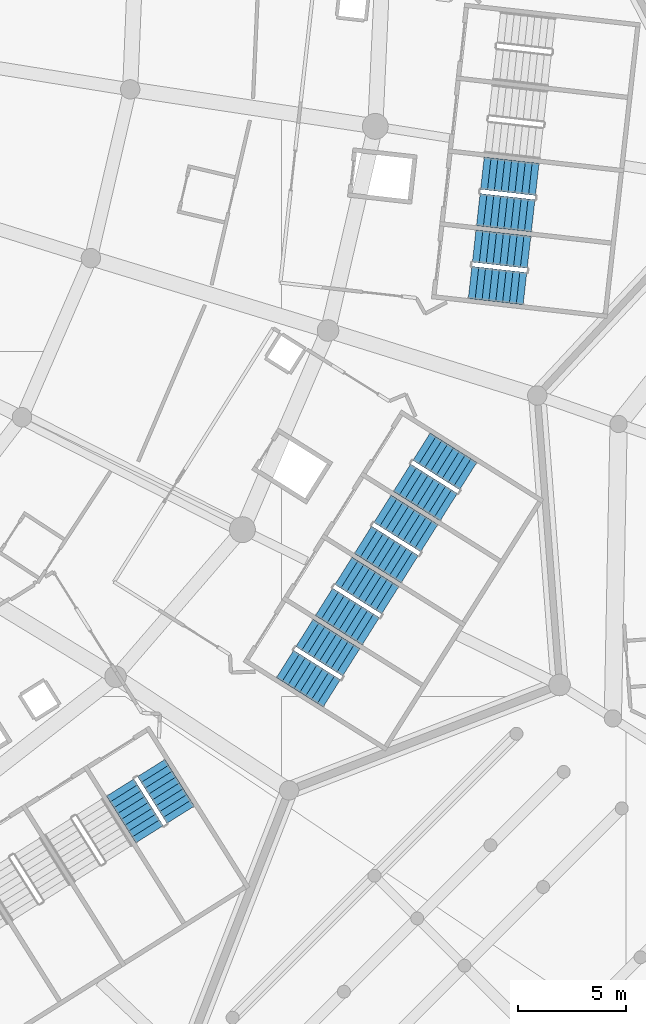
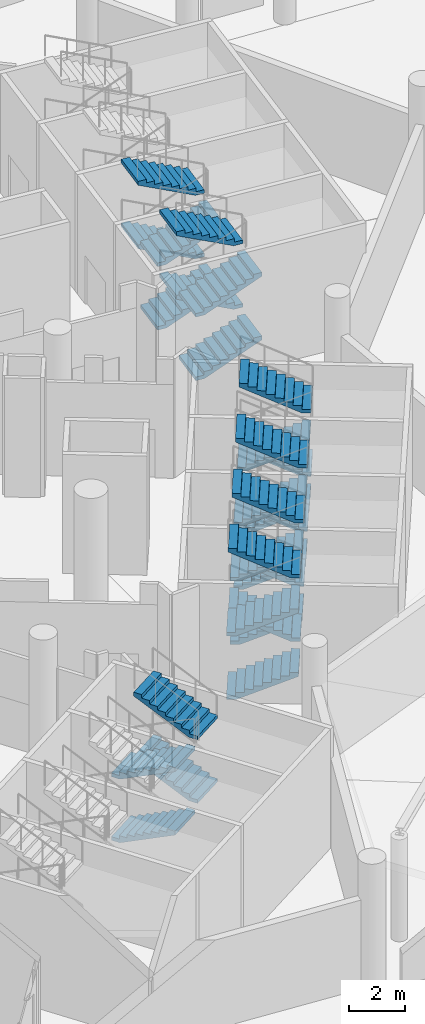
# One storey, part 211 of 271: 28 stair flights, 7 elements without a shape of their own.
"""IFC4 building model written with IfcOpenShell, lengths in metres."""

from ifc_helpers import new_model, si_unit, direction, frame, origin, place, context, subcontext, project, spatial, polyline, outline, extrude, material, type_object, element, aggregate, save


model = new_model("IFC4")

# Units and contexts
model_context = context("Model", 3, precision=1e-05, world=origin(), true_north=direction((0.0, 1.0)))
body_context = subcontext(model_context, "Body", "Model", "MODEL_VIEW")
ifc_project = project(units=[si_unit("LENGTHUNIT", "METRE"), si_unit("AREAUNIT", "SQUARE_METRE"), si_unit("VOLUMEUNIT", "CUBIC_METRE"), si_unit("PLANEANGLEUNIT", "RADIAN"), si_unit("MASSUNIT", "GRAM", prefix="KILO")], contexts=[model_context])

# Site, building, storey
site_placement = place(None, origin())
site = spatial("IfcSite", under=ifc_project, at=site_placement, CompositionType="ELEMENT")
building_placement = place(site_placement, origin())
building = spatial("IfcBuilding", under=site, at=building_placement, Name="Meseta Stadium", CompositionType="ELEMENT")
storey_placement = place(building_placement, frame((0.0, 0.0, 6.5)))
storey = spatial("IfcBuildingStorey", under=building, at=storey_placement, Name="L01", CompositionType="ELEMENT", Elevation=6.5)

# Stair, stair flights
ifc_material_1 = material(Name="Concrete C40/50", Category="concrete")
stair_type = type_object("IfcStairType", Name="Exit stair 4 flights 153 mm risers", PredefinedType="HALF_TURN_STAIR", material=ifc_material_1)
stair_1_placement = place(storey_placement, origin())
stair_1 = element("IfcStair", 1, at=stair_1_placement, inside=storey, type_object=stair_type, Name="ST1 L01", PredefinedType="HALF_TURN_STAIR")
ifc_material_2 = material(Name="Concrete C40/50", Category="concrete")
stair_flight_type = type_object("IfcStairFlightType", Name="Exit stair flight 153 mm risers, 4 per storey", PredefinedType="STRAIGHT", material=ifc_material_2)
stair_flight_1_placement = place(storey_placement, frame((88.759033203125, -60.805419921875, 0.0), z_axis=(0.0, 0.0, 1.0), x_axis=(0.993712210731, -0.11196446867, 0.0)))
stair_flight_1 = element("IfcStairFlight", 2, at=stair_flight_1_placement, type_object=stair_flight_type, Name="ST1 L01 flight 1", NumberOfRisers=9, NumberOfTreads=8, PredefinedType="STRAIGHT", RiserHeight=0.152777778, TreadLength=0.32, context=body_context, shape_type="SweptSolid", body=[
    extrude(outline(polyline([(0.0, 0.0), (0.0, 0.15283203125), (0.320068359375, 0.15283203125), (0.320068359375, 0.3056640625), (0.639892578125, 0.3056640625), (0.639892578125, 0.458251953125), (0.9599609375, 0.458251953125), (0.9599609375, 0.611083984375), (1.280029296875, 0.611083984375), (1.280029296875, 0.763916015625), (1.60009765625, 0.763916015625), (1.60009765625, 0.916748046875), (1.919921875, 0.916748046875), (1.919921875, 1.0693359375), (2.239990234375, 1.0693359375), (2.239990234375, 1.22216796875), (2.56005859375, 1.22216796875), (2.56005859375, 1.05615234375), (0.347900390625, 0.0), (0.0, 0.0)])), frame((0.0, 0.75, 0.0), z_axis=(0.0, -1.0, 0.0), x_axis=(1.0, 0.0, 0.0)), (0.0, 0.0, 1.0), 1.5),
])
stair_flight_2_placement = place(storey_placement, frame((91.4931640625, -59.40283203125, 1.375), z_axis=(0.0, 0.0, 1.0), x_axis=(-0.993712210731, 0.11196446867, 0.0)))
stair_flight_2 = element("IfcStairFlight", 3, at=stair_flight_2_placement, type_object=stair_flight_type, Name="ST1 L01 flight 2", NumberOfRisers=9, NumberOfTreads=8, PredefinedType="STRAIGHT", RiserHeight=0.152777778, TreadLength=0.32, context=body_context, shape_type="SweptSolid", body=[
    extrude(outline(polyline([(0.0, 0.0), (0.0, 0.15283203125), (0.320068359375, 0.15283203125), (0.320068359375, 0.3056640625), (0.639892578125, 0.3056640625), (0.639892578125, 0.458251953125), (0.9599609375, 0.458251953125), (0.9599609375, 0.611083984375), (1.280029296875, 0.611083984375), (1.280029296875, 0.763916015625), (1.60009765625, 0.763916015625), (1.60009765625, 0.916748046875), (1.919921875, 0.916748046875), (1.919921875, 1.0693359375), (2.239990234375, 1.0693359375), (2.239990234375, 1.22216796875), (2.56005859375, 1.22216796875), (2.56005859375, 1.05615234375), (0.347900390625, 0.0), (0.0, 0.0)])), frame((0.0, 0.75, 0.0), z_axis=(0.0, -1.0, 0.0), x_axis=(1.0, 0.0, 0.0)), (0.0, 0.0, 1.0), 1.5),
])
stair_flight_3_placement = place(storey_placement, frame((88.759033203125, -60.805419921875, 2.75), z_axis=(0.0, 0.0, 1.0), x_axis=(0.993712210731, -0.11196446867, 0.0)))
stair_flight_3 = element("IfcStairFlight", 4, at=stair_flight_3_placement, type_object=stair_flight_type, Name="ST1 L01 flight 3", NumberOfRisers=9, NumberOfTreads=8, PredefinedType="STRAIGHT", RiserHeight=0.152777778, TreadLength=0.32, context=body_context, shape_type="SweptSolid", body=[
    extrude(outline(polyline([(0.0, 0.0), (0.0, 0.15283203125), (0.320068359375, 0.15283203125), (0.320068359375, 0.3056640625), (0.639892578125, 0.3056640625), (0.639892578125, 0.458251953125), (0.9599609375, 0.458251953125), (0.9599609375, 0.611083984375), (1.280029296875, 0.611083984375), (1.280029296875, 0.763916015625), (1.60009765625, 0.763916015625), (1.60009765625, 0.916748046875), (1.919921875, 0.916748046875), (1.919921875, 1.0693359375), (2.239990234375, 1.0693359375), (2.239990234375, 1.22216796875), (2.56005859375, 1.22216796875), (2.56005859375, 1.05615234375), (0.347900390625, 0.0), (0.0, 0.0)])), frame((0.0, 0.75, 0.0), z_axis=(0.0, -1.0, 0.0), x_axis=(1.0, 0.0, 0.0)), (0.0, 0.0, 1.0), 1.5),
])
stair_flight_4_placement = place(storey_placement, frame((91.4931640625, -59.40283203125, 4.125), z_axis=(0.0, 0.0, 1.0), x_axis=(-0.993712210731, 0.11196446867, 0.0)))
stair_flight_4 = element("IfcStairFlight", 5, at=stair_flight_4_placement, type_object=stair_flight_type, Name="ST1 L01 flight 4", NumberOfRisers=9, NumberOfTreads=8, PredefinedType="STRAIGHT", RiserHeight=0.152777778, TreadLength=0.32, context=body_context, shape_type="SweptSolid", body=[
    extrude(outline(polyline([(0.0, 0.0), (0.0, 0.15283203125), (0.320068359375, 0.15283203125), (0.320068359375, 0.3056640625), (0.639892578125, 0.3056640625), (0.639892578125, 0.458251953125), (0.9599609375, 0.458251953125), (0.9599609375, 0.611083984375), (1.280029296875, 0.611083984375), (1.280029296875, 0.763916015625), (1.60009765625, 0.763916015625), (1.60009765625, 0.916748046875), (1.919921875, 0.916748046875), (1.919921875, 1.0693359375), (2.239990234375, 1.0693359375), (2.239990234375, 1.22216796875), (2.56005859375, 1.22216796875), (2.56005859375, 1.05615234375), (0.347900390625, 0.0), (0.0, 0.0)])), frame((0.0, 0.75, 0.0), z_axis=(0.0, -1.0, 0.0), x_axis=(1.0, 0.0, 0.0)), (0.0, 0.0, 1.0), 1.5),
])
aggregate(stair_1, [stair_flight_1, stair_flight_2, stair_flight_3, stair_flight_4])

stair_2_placement = place(storey_placement, origin())
stair_2 = element("IfcStair", 6, at=stair_2_placement, inside=storey, type_object=stair_type, Name="ST2 L01", PredefinedType="HALF_TURN_STAIR")
stair_flight_5_placement = place(storey_placement, frame((89.1396484375, -57.4267578125, 0.0), z_axis=(0.0, 0.0, 1.0), x_axis=(0.993712210731, -0.11196446867, 0.0)))
stair_flight_5 = element("IfcStairFlight", 7, at=stair_flight_5_placement, type_object=stair_flight_type, Name="ST2 L01 flight 1", NumberOfRisers=9, NumberOfTreads=8, PredefinedType="STRAIGHT", RiserHeight=0.152777778, TreadLength=0.32, context=body_context, shape_type="SweptSolid", body=[
    extrude(outline(polyline([(0.0, 0.0), (0.0, 0.15283203125), (0.320068359375, 0.15283203125), (0.320068359375, 0.3056640625), (0.639892578125, 0.3056640625), (0.639892578125, 0.458251953125), (0.9599609375, 0.458251953125), (0.9599609375, 0.611083984375), (1.280029296875, 0.611083984375), (1.280029296875, 0.763916015625), (1.60009765625, 0.763916015625), (1.60009765625, 0.916748046875), (1.919921875, 0.916748046875), (1.919921875, 1.0693359375), (2.239990234375, 1.0693359375), (2.239990234375, 1.22216796875), (2.56005859375, 1.22216796875), (2.56005859375, 1.05615234375), (0.347900390625, 0.0), (0.0, 0.0)])), frame((0.0, 0.75, 0.0), z_axis=(0.0, -1.0, 0.0), x_axis=(1.0, 0.0, 0.0)), (0.0, 0.0, 1.0), 1.5),
])
stair_flight_6_placement = place(storey_placement, frame((91.8740234375, -56.024169921875, 1.375), z_axis=(0.0, 0.0, 1.0), x_axis=(-0.993712210731, 0.11196446867, 0.0)))
stair_flight_6 = element("IfcStairFlight", 8, at=stair_flight_6_placement, type_object=stair_flight_type, Name="ST2 L01 flight 2", NumberOfRisers=9, NumberOfTreads=8, PredefinedType="STRAIGHT", RiserHeight=0.152777778, TreadLength=0.32, context=body_context, shape_type="SweptSolid", body=[
    extrude(outline(polyline([(0.0, 0.0), (0.0, 0.15283203125), (0.320068359375, 0.15283203125), (0.320068359375, 0.3056640625), (0.639892578125, 0.3056640625), (0.639892578125, 0.458251953125), (0.9599609375, 0.458251953125), (0.9599609375, 0.611083984375), (1.280029296875, 0.611083984375), (1.280029296875, 0.763916015625), (1.60009765625, 0.763916015625), (1.60009765625, 0.916748046875), (1.919921875, 0.916748046875), (1.919921875, 1.0693359375), (2.239990234375, 1.0693359375), (2.239990234375, 1.22216796875), (2.56005859375, 1.22216796875), (2.56005859375, 1.05615234375), (0.347900390625, 0.0), (0.0, 0.0)])), frame((0.0, 0.75, 0.0), z_axis=(0.0, -1.0, 0.0), x_axis=(1.0, 0.0, 0.0)), (0.0, 0.0, 1.0), 1.5),
])
stair_flight_7_placement = place(storey_placement, frame((89.1396484375, -57.4267578125, 2.75), z_axis=(0.0, 0.0, 1.0), x_axis=(0.993712210731, -0.11196446867, 0.0)))
stair_flight_7 = element("IfcStairFlight", 9, at=stair_flight_7_placement, type_object=stair_flight_type, Name="ST2 L01 flight 3", NumberOfRisers=9, NumberOfTreads=8, PredefinedType="STRAIGHT", RiserHeight=0.152777778, TreadLength=0.32, context=body_context, shape_type="SweptSolid", body=[
    extrude(outline(polyline([(0.0, 0.0), (0.0, 0.15283203125), (0.320068359375, 0.15283203125), (0.320068359375, 0.3056640625), (0.639892578125, 0.3056640625), (0.639892578125, 0.458251953125), (0.9599609375, 0.458251953125), (0.9599609375, 0.611083984375), (1.280029296875, 0.611083984375), (1.280029296875, 0.763916015625), (1.60009765625, 0.763916015625), (1.60009765625, 0.916748046875), (1.919921875, 0.916748046875), (1.919921875, 1.0693359375), (2.239990234375, 1.0693359375), (2.239990234375, 1.22216796875), (2.56005859375, 1.22216796875), (2.56005859375, 1.05615234375), (0.347900390625, 0.0), (0.0, 0.0)])), frame((0.0, 0.75, 0.0), z_axis=(0.0, -1.0, 0.0), x_axis=(1.0, 0.0, 0.0)), (0.0, 0.0, 1.0), 1.5),
])
stair_flight_8_placement = place(storey_placement, frame((91.8740234375, -56.024169921875, 4.125), z_axis=(0.0, 0.0, 1.0), x_axis=(-0.993712210731, 0.11196446867, 0.0)))
stair_flight_8 = element("IfcStairFlight", 10, at=stair_flight_8_placement, type_object=stair_flight_type, Name="ST2 L01 flight 4", NumberOfRisers=9, NumberOfTreads=8, PredefinedType="STRAIGHT", RiserHeight=0.152777778, TreadLength=0.32, context=body_context, shape_type="SweptSolid", body=[
    extrude(outline(polyline([(0.0, 0.0), (0.0, 0.15283203125), (0.320068359375, 0.15283203125), (0.320068359375, 0.3056640625), (0.639892578125, 0.3056640625), (0.639892578125, 0.458251953125), (0.9599609375, 0.458251953125), (0.9599609375, 0.611083984375), (1.280029296875, 0.611083984375), (1.280029296875, 0.763916015625), (1.60009765625, 0.763916015625), (1.60009765625, 0.916748046875), (1.919921875, 0.916748046875), (1.919921875, 1.0693359375), (2.239990234375, 1.0693359375), (2.239990234375, 1.22216796875), (2.56005859375, 1.22216796875), (2.56005859375, 1.05615234375), (0.347900390625, 0.0), (0.0, 0.0)])), frame((0.0, 0.75, 0.0), z_axis=(0.0, -1.0, 0.0), x_axis=(1.0, 0.0, 0.0)), (0.0, 0.0, 1.0), 1.5),
])
aggregate(stair_2, [stair_flight_5, stair_flight_6, stair_flight_7, stair_flight_8])

stair_3_placement = place(storey_placement, origin())
stair_3 = element("IfcStair", 11, at=stair_3_placement, inside=storey, type_object=stair_type, Name="ST108 L01", PredefinedType="HALF_TURN_STAIR")
stair_flight_9_placement = place(storey_placement, frame((72.529052734375, -84.232666015625, 0.0), z_axis=(0.0, 0.0, 1.0), x_axis=(0.532032074404, -0.846724200555, 0.0)))
stair_flight_9 = element("IfcStairFlight", 12, at=stair_flight_9_placement, type_object=stair_flight_type, Name="ST108 L01 flight 1", NumberOfRisers=9, NumberOfTreads=8, PredefinedType="STRAIGHT", RiserHeight=0.152777778, TreadLength=0.32, context=body_context, shape_type="SweptSolid", body=[
    extrude(outline(polyline([(0.0, 0.0), (0.0, 0.15283203125), (0.320068359375, 0.15283203125), (0.320068359375, 0.3056640625), (0.639892578125, 0.3056640625), (0.639892578125, 0.458251953125), (0.9599609375, 0.458251953125), (0.9599609375, 0.611083984375), (1.280029296875, 0.611083984375), (1.280029296875, 0.763916015625), (1.60009765625, 0.763916015625), (1.60009765625, 0.916748046875), (1.919921875, 0.916748046875), (1.919921875, 1.0693359375), (2.239990234375, 1.0693359375), (2.239990234375, 1.22216796875), (2.56005859375, 1.22216796875), (2.56005859375, 1.05615234375), (0.347900390625, 0.0), (0.0, 0.0)])), frame((0.0, 0.75, 0.0), z_axis=(0.0, -1.0, 0.0), x_axis=(1.0, 0.0, 0.0)), (0.0, 0.0, 1.0), 1.5),
])
stair_flight_10_placement = place(storey_placement, frame((75.33056640625, -85.495849609375, 1.375), z_axis=(0.0, 0.0, 1.0), x_axis=(-0.532032074404, 0.846724200555, 0.0)))
stair_flight_10 = element("IfcStairFlight", 13, at=stair_flight_10_placement, type_object=stair_flight_type, Name="ST108 L01 flight 2", NumberOfRisers=9, NumberOfTreads=8, PredefinedType="STRAIGHT", RiserHeight=0.152777778, TreadLength=0.32, context=body_context, shape_type="SweptSolid", body=[
    extrude(outline(polyline([(0.0, 0.0), (0.0, 0.15283203125), (0.320068359375, 0.15283203125), (0.320068359375, 0.3056640625), (0.639892578125, 0.3056640625), (0.639892578125, 0.458251953125), (0.9599609375, 0.458251953125), (0.9599609375, 0.611083984375), (1.280029296875, 0.611083984375), (1.280029296875, 0.763916015625), (1.60009765625, 0.763916015625), (1.60009765625, 0.916748046875), (1.919921875, 0.916748046875), (1.919921875, 1.0693359375), (2.239990234375, 1.0693359375), (2.239990234375, 1.22216796875), (2.56005859375, 1.22216796875), (2.56005859375, 1.05615234375), (0.347900390625, 0.0), (0.0, 0.0)])), frame((0.0, 0.75, 0.0), z_axis=(0.0, -1.0, 0.0), x_axis=(1.0, 0.0, 0.0)), (0.0, 0.0, 1.0), 1.5),
])
stair_flight_11_placement = place(storey_placement, frame((72.529052734375, -84.232666015625, 2.75), z_axis=(0.0, 0.0, 1.0), x_axis=(0.532032074404, -0.846724200555, 0.0)))
stair_flight_11 = element("IfcStairFlight", 14, at=stair_flight_11_placement, type_object=stair_flight_type, Name="ST108 L01 flight 3", NumberOfRisers=9, NumberOfTreads=8, PredefinedType="STRAIGHT", RiserHeight=0.152777778, TreadLength=0.32, context=body_context, shape_type="SweptSolid", body=[
    extrude(outline(polyline([(0.0, 0.0), (0.0, 0.15283203125), (0.320068359375, 0.15283203125), (0.320068359375, 0.3056640625), (0.639892578125, 0.3056640625), (0.639892578125, 0.458251953125), (0.9599609375, 0.458251953125), (0.9599609375, 0.611083984375), (1.280029296875, 0.611083984375), (1.280029296875, 0.763916015625), (1.60009765625, 0.763916015625), (1.60009765625, 0.916748046875), (1.919921875, 0.916748046875), (1.919921875, 1.0693359375), (2.239990234375, 1.0693359375), (2.239990234375, 1.22216796875), (2.56005859375, 1.22216796875), (2.56005859375, 1.05615234375), (0.347900390625, 0.0), (0.0, 0.0)])), frame((0.0, 0.75, 0.0), z_axis=(0.0, -1.0, 0.0), x_axis=(1.0, 0.0, 0.0)), (0.0, 0.0, 1.0), 1.5),
])
stair_flight_12_placement = place(storey_placement, frame((75.33056640625, -85.495849609375, 4.125), z_axis=(0.0, 0.0, 1.0), x_axis=(-0.532032074404, 0.846724200555, 0.0)))
stair_flight_12 = element("IfcStairFlight", 15, at=stair_flight_12_placement, type_object=stair_flight_type, Name="ST108 L01 flight 4", NumberOfRisers=9, NumberOfTreads=8, PredefinedType="STRAIGHT", RiserHeight=0.152777778, TreadLength=0.32, context=body_context, shape_type="SweptSolid", body=[
    extrude(outline(polyline([(0.0, 0.0), (0.0, 0.15283203125), (0.320068359375, 0.15283203125), (0.320068359375, 0.3056640625), (0.639892578125, 0.3056640625), (0.639892578125, 0.458251953125), (0.9599609375, 0.458251953125), (0.9599609375, 0.611083984375), (1.280029296875, 0.611083984375), (1.280029296875, 0.763916015625), (1.60009765625, 0.763916015625), (1.60009765625, 0.916748046875), (1.919921875, 0.916748046875), (1.919921875, 1.0693359375), (2.239990234375, 1.0693359375), (2.239990234375, 1.22216796875), (2.56005859375, 1.22216796875), (2.56005859375, 1.05615234375), (0.347900390625, 0.0), (0.0, 0.0)])), frame((0.0, 0.75, 0.0), z_axis=(0.0, -1.0, 0.0), x_axis=(1.0, 0.0, 0.0)), (0.0, 0.0, 1.0), 1.5),
])
aggregate(stair_3, [stair_flight_9, stair_flight_10, stair_flight_11, stair_flight_12])

stair_4_placement = place(storey_placement, origin())
stair_4 = element("IfcStair", 16, at=stair_4_placement, inside=storey, type_object=stair_type, Name="ST109 L01", PredefinedType="HALF_TURN_STAIR")
stair_flight_13_placement = place(storey_placement, frame((80.175048828125, -78.500732421875, 0.0), z_axis=(0.0, 0.0, 1.0), x_axis=(0.846724200555, -0.532032074404, 0.0)))
stair_flight_13 = element("IfcStairFlight", 17, at=stair_flight_13_placement, type_object=stair_flight_type, Name="ST109 L01 flight 1", NumberOfRisers=9, NumberOfTreads=8, PredefinedType="STRAIGHT", RiserHeight=0.152777778, TreadLength=0.32, context=body_context, shape_type="SweptSolid", body=[
    extrude(outline(polyline([(0.0, 0.0), (0.0, 0.15283203125), (0.320068359375, 0.15283203125), (0.320068359375, 0.3056640625), (0.639892578125, 0.3056640625), (0.639892578125, 0.458251953125), (0.9599609375, 0.458251953125), (0.9599609375, 0.611083984375), (1.280029296875, 0.611083984375), (1.280029296875, 0.763916015625), (1.60009765625, 0.763916015625), (1.60009765625, 0.916748046875), (1.919921875, 0.916748046875), (1.919921875, 1.0693359375), (2.239990234375, 1.0693359375), (2.239990234375, 1.22216796875), (2.56005859375, 1.22216796875), (2.56005859375, 1.05615234375), (0.347900390625, 0.0), (0.0, 0.0)])), frame((0.0, 0.75, 0.0), z_axis=(0.0, -1.0, 0.0), x_axis=(1.0, 0.0, 0.0)), (0.0, 0.0, 1.0), 1.5),
])
stair_flight_14_placement = place(storey_placement, frame((83.2470703125, -78.423095703125, 1.375), z_axis=(0.0, 0.0, 1.0), x_axis=(-0.846724200555, 0.532032074404, 0.0)))
stair_flight_14 = element("IfcStairFlight", 18, at=stair_flight_14_placement, type_object=stair_flight_type, Name="ST109 L01 flight 2", NumberOfRisers=9, NumberOfTreads=8, PredefinedType="STRAIGHT", RiserHeight=0.152777778, TreadLength=0.32, context=body_context, shape_type="SweptSolid", body=[
    extrude(outline(polyline([(0.0, 0.0), (0.0, 0.15283203125), (0.320068359375, 0.15283203125), (0.320068359375, 0.3056640625), (0.639892578125, 0.3056640625), (0.639892578125, 0.458251953125), (0.9599609375, 0.458251953125), (0.9599609375, 0.611083984375), (1.280029296875, 0.611083984375), (1.280029296875, 0.763916015625), (1.60009765625, 0.763916015625), (1.60009765625, 0.916748046875), (1.919921875, 0.916748046875), (1.919921875, 1.0693359375), (2.239990234375, 1.0693359375), (2.239990234375, 1.22216796875), (2.56005859375, 1.22216796875), (2.56005859375, 1.05615234375), (0.347900390625, 0.0), (0.0, 0.0)])), frame((0.0, 0.75, 0.0), z_axis=(0.0, -1.0, 0.0), x_axis=(1.0, 0.0, 0.0)), (0.0, 0.0, 1.0), 1.5),
])
stair_flight_15_placement = place(storey_placement, frame((80.175048828125, -78.500732421875, 2.75), z_axis=(0.0, 0.0, 1.0), x_axis=(0.846724200555, -0.532032074404, 0.0)))
stair_flight_15 = element("IfcStairFlight", 19, at=stair_flight_15_placement, type_object=stair_flight_type, Name="ST109 L01 flight 3", NumberOfRisers=9, NumberOfTreads=8, PredefinedType="STRAIGHT", RiserHeight=0.152777778, TreadLength=0.32, context=body_context, shape_type="SweptSolid", body=[
    extrude(outline(polyline([(0.0, 0.0), (0.0, 0.15283203125), (0.320068359375, 0.15283203125), (0.320068359375, 0.3056640625), (0.639892578125, 0.3056640625), (0.639892578125, 0.458251953125), (0.9599609375, 0.458251953125), (0.9599609375, 0.611083984375), (1.280029296875, 0.611083984375), (1.280029296875, 0.763916015625), (1.60009765625, 0.763916015625), (1.60009765625, 0.916748046875), (1.919921875, 0.916748046875), (1.919921875, 1.0693359375), (2.239990234375, 1.0693359375), (2.239990234375, 1.22216796875), (2.56005859375, 1.22216796875), (2.56005859375, 1.05615234375), (0.347900390625, 0.0), (0.0, 0.0)])), frame((0.0, 0.75, 0.0), z_axis=(0.0, -1.0, 0.0), x_axis=(1.0, 0.0, 0.0)), (0.0, 0.0, 1.0), 1.5),
])
stair_flight_16_placement = place(storey_placement, frame((83.2470703125, -78.423095703125, 4.125), z_axis=(0.0, 0.0, 1.0), x_axis=(-0.846724200555, 0.532032074404, 0.0)))
stair_flight_16 = element("IfcStairFlight", 20, at=stair_flight_16_placement, type_object=stair_flight_type, Name="ST109 L01 flight 4", NumberOfRisers=9, NumberOfTreads=8, PredefinedType="STRAIGHT", RiserHeight=0.152777778, TreadLength=0.32, context=body_context, shape_type="SweptSolid", body=[
    extrude(outline(polyline([(0.0, 0.0), (0.0, 0.15283203125), (0.320068359375, 0.15283203125), (0.320068359375, 0.3056640625), (0.639892578125, 0.3056640625), (0.639892578125, 0.458251953125), (0.9599609375, 0.458251953125), (0.9599609375, 0.611083984375), (1.280029296875, 0.611083984375), (1.280029296875, 0.763916015625), (1.60009765625, 0.763916015625), (1.60009765625, 0.916748046875), (1.919921875, 0.916748046875), (1.919921875, 1.0693359375), (2.239990234375, 1.0693359375), (2.239990234375, 1.22216796875), (2.56005859375, 1.22216796875), (2.56005859375, 1.05615234375), (0.347900390625, 0.0), (0.0, 0.0)])), frame((0.0, 0.75, 0.0), z_axis=(0.0, -1.0, 0.0), x_axis=(1.0, 0.0, 0.0)), (0.0, 0.0, 1.0), 1.5),
])
aggregate(stair_4, [stair_flight_13, stair_flight_14, stair_flight_15, stair_flight_16])

stair_5_placement = place(storey_placement, origin())
stair_5 = element("IfcStair", 21, at=stair_5_placement, inside=storey, type_object=stair_type, Name="ST110 L01", PredefinedType="HALF_TURN_STAIR")
stair_flight_17_placement = place(storey_placement, frame((81.98388671875, -75.621826171875, 0.0), z_axis=(0.0, 0.0, 1.0), x_axis=(0.846724200555, -0.532032074404, 0.0)))
stair_flight_17 = element("IfcStairFlight", 22, at=stair_flight_17_placement, type_object=stair_flight_type, Name="ST110 L01 flight 1", NumberOfRisers=9, NumberOfTreads=8, PredefinedType="STRAIGHT", RiserHeight=0.152777778, TreadLength=0.32, context=body_context, shape_type="SweptSolid", body=[
    extrude(outline(polyline([(0.0, 0.0), (0.0, 0.15283203125), (0.320068359375, 0.15283203125), (0.320068359375, 0.3056640625), (0.639892578125, 0.3056640625), (0.639892578125, 0.458251953125), (0.9599609375, 0.458251953125), (0.9599609375, 0.611083984375), (1.280029296875, 0.611083984375), (1.280029296875, 0.763916015625), (1.60009765625, 0.763916015625), (1.60009765625, 0.916748046875), (1.919921875, 0.916748046875), (1.919921875, 1.0693359375), (2.239990234375, 1.0693359375), (2.239990234375, 1.22216796875), (2.56005859375, 1.22216796875), (2.56005859375, 1.05615234375), (0.347900390625, 0.0), (0.0, 0.0)])), frame((0.0, 0.75, 0.0), z_axis=(0.0, -1.0, 0.0), x_axis=(1.0, 0.0, 0.0)), (0.0, 0.0, 1.0), 1.5),
])
stair_flight_18_placement = place(storey_placement, frame((85.055908203125, -75.54443359375, 1.375), z_axis=(0.0, 0.0, 1.0), x_axis=(-0.846724200555, 0.532032074404, 0.0)))
stair_flight_18 = element("IfcStairFlight", 23, at=stair_flight_18_placement, type_object=stair_flight_type, Name="ST110 L01 flight 2", NumberOfRisers=9, NumberOfTreads=8, PredefinedType="STRAIGHT", RiserHeight=0.152777778, TreadLength=0.32, context=body_context, shape_type="SweptSolid", body=[
    extrude(outline(polyline([(0.0, 0.0), (0.0, 0.15283203125), (0.320068359375, 0.15283203125), (0.320068359375, 0.3056640625), (0.639892578125, 0.3056640625), (0.639892578125, 0.458251953125), (0.9599609375, 0.458251953125), (0.9599609375, 0.611083984375), (1.280029296875, 0.611083984375), (1.280029296875, 0.763916015625), (1.60009765625, 0.763916015625), (1.60009765625, 0.916748046875), (1.919921875, 0.916748046875), (1.919921875, 1.0693359375), (2.239990234375, 1.0693359375), (2.239990234375, 1.22216796875), (2.56005859375, 1.22216796875), (2.56005859375, 1.05615234375), (0.347900390625, 0.0), (0.0, 0.0)])), frame((0.0, 0.75, 0.0), z_axis=(0.0, -1.0, 0.0), x_axis=(1.0, 0.0, 0.0)), (0.0, 0.0, 1.0), 1.5),
])
stair_flight_19_placement = place(storey_placement, frame((81.98388671875, -75.621826171875, 2.75), z_axis=(0.0, 0.0, 1.0), x_axis=(0.846724200555, -0.532032074404, 0.0)))
stair_flight_19 = element("IfcStairFlight", 24, at=stair_flight_19_placement, type_object=stair_flight_type, Name="ST110 L01 flight 3", NumberOfRisers=9, NumberOfTreads=8, PredefinedType="STRAIGHT", RiserHeight=0.152777778, TreadLength=0.32, context=body_context, shape_type="SweptSolid", body=[
    extrude(outline(polyline([(0.0, 0.0), (0.0, 0.15283203125), (0.320068359375, 0.15283203125), (0.320068359375, 0.3056640625), (0.639892578125, 0.3056640625), (0.639892578125, 0.458251953125), (0.9599609375, 0.458251953125), (0.9599609375, 0.611083984375), (1.280029296875, 0.611083984375), (1.280029296875, 0.763916015625), (1.60009765625, 0.763916015625), (1.60009765625, 0.916748046875), (1.919921875, 0.916748046875), (1.919921875, 1.0693359375), (2.239990234375, 1.0693359375), (2.239990234375, 1.22216796875), (2.56005859375, 1.22216796875), (2.56005859375, 1.05615234375), (0.347900390625, 0.0), (0.0, 0.0)])), frame((0.0, 0.75, 0.0), z_axis=(0.0, -1.0, 0.0), x_axis=(1.0, 0.0, 0.0)), (0.0, 0.0, 1.0), 1.5),
])
stair_flight_20_placement = place(storey_placement, frame((85.055908203125, -75.54443359375, 4.125), z_axis=(0.0, 0.0, 1.0), x_axis=(-0.846724200555, 0.532032074404, 0.0)))
stair_flight_20 = element("IfcStairFlight", 25, at=stair_flight_20_placement, type_object=stair_flight_type, Name="ST110 L01 flight 4", NumberOfRisers=9, NumberOfTreads=8, PredefinedType="STRAIGHT", RiserHeight=0.152777778, TreadLength=0.32, context=body_context, shape_type="SweptSolid", body=[
    extrude(outline(polyline([(0.0, 0.0), (0.0, 0.15283203125), (0.320068359375, 0.15283203125), (0.320068359375, 0.3056640625), (0.639892578125, 0.3056640625), (0.639892578125, 0.458251953125), (0.9599609375, 0.458251953125), (0.9599609375, 0.611083984375), (1.280029296875, 0.611083984375), (1.280029296875, 0.763916015625), (1.60009765625, 0.763916015625), (1.60009765625, 0.916748046875), (1.919921875, 0.916748046875), (1.919921875, 1.0693359375), (2.239990234375, 1.0693359375), (2.239990234375, 1.22216796875), (2.56005859375, 1.22216796875), (2.56005859375, 1.05615234375), (0.347900390625, 0.0), (0.0, 0.0)])), frame((0.0, 0.75, 0.0), z_axis=(0.0, -1.0, 0.0), x_axis=(1.0, 0.0, 0.0)), (0.0, 0.0, 1.0), 1.5),
])
aggregate(stair_5, [stair_flight_17, stair_flight_18, stair_flight_19, stair_flight_20])

stair_6_placement = place(storey_placement, origin())
stair_6 = element("IfcStair", 26, at=stair_6_placement, inside=storey, type_object=stair_type, Name="ST111 L01", PredefinedType="HALF_TURN_STAIR")
stair_flight_21_placement = place(storey_placement, frame((83.792724609375, -72.742919921875, 0.0), z_axis=(0.0, 0.0, 1.0), x_axis=(0.846724200555, -0.532032074404, 0.0)))
stair_flight_21 = element("IfcStairFlight", 27, at=stair_flight_21_placement, type_object=stair_flight_type, Name="ST111 L01 flight 1", NumberOfRisers=9, NumberOfTreads=8, PredefinedType="STRAIGHT", RiserHeight=0.152777778, TreadLength=0.32, context=body_context, shape_type="SweptSolid", body=[
    extrude(outline(polyline([(0.0, 0.0), (0.0, 0.15283203125), (0.320068359375, 0.15283203125), (0.320068359375, 0.3056640625), (0.639892578125, 0.3056640625), (0.639892578125, 0.458251953125), (0.9599609375, 0.458251953125), (0.9599609375, 0.611083984375), (1.280029296875, 0.611083984375), (1.280029296875, 0.763916015625), (1.60009765625, 0.763916015625), (1.60009765625, 0.916748046875), (1.919921875, 0.916748046875), (1.919921875, 1.0693359375), (2.239990234375, 1.0693359375), (2.239990234375, 1.22216796875), (2.56005859375, 1.22216796875), (2.56005859375, 1.05615234375), (0.347900390625, 0.0), (0.0, 0.0)])), frame((0.0, 0.75, 0.0), z_axis=(0.0, -1.0, 0.0), x_axis=(1.0, 0.0, 0.0)), (0.0, 0.0, 1.0), 1.5),
])
stair_flight_22_placement = place(storey_placement, frame((86.86474609375, -72.66552734375, 1.375), z_axis=(0.0, 0.0, 1.0), x_axis=(-0.846724200555, 0.532032074404, 0.0)))
stair_flight_22 = element("IfcStairFlight", 28, at=stair_flight_22_placement, type_object=stair_flight_type, Name="ST111 L01 flight 2", NumberOfRisers=9, NumberOfTreads=8, PredefinedType="STRAIGHT", RiserHeight=0.152777778, TreadLength=0.32, context=body_context, shape_type="SweptSolid", body=[
    extrude(outline(polyline([(0.0, 0.0), (0.0, 0.15283203125), (0.320068359375, 0.15283203125), (0.320068359375, 0.3056640625), (0.639892578125, 0.3056640625), (0.639892578125, 0.458251953125), (0.9599609375, 0.458251953125), (0.9599609375, 0.611083984375), (1.280029296875, 0.611083984375), (1.280029296875, 0.763916015625), (1.60009765625, 0.763916015625), (1.60009765625, 0.916748046875), (1.919921875, 0.916748046875), (1.919921875, 1.0693359375), (2.239990234375, 1.0693359375), (2.239990234375, 1.22216796875), (2.56005859375, 1.22216796875), (2.56005859375, 1.05615234375), (0.347900390625, 0.0), (0.0, 0.0)])), frame((0.0, 0.75, 0.0), z_axis=(0.0, -1.0, 0.0), x_axis=(1.0, 0.0, 0.0)), (0.0, 0.0, 1.0), 1.5),
])
stair_flight_23_placement = place(storey_placement, frame((83.792724609375, -72.742919921875, 2.75), z_axis=(0.0, 0.0, 1.0), x_axis=(0.846724200555, -0.532032074404, 0.0)))
stair_flight_23 = element("IfcStairFlight", 29, at=stair_flight_23_placement, type_object=stair_flight_type, Name="ST111 L01 flight 3", NumberOfRisers=9, NumberOfTreads=8, PredefinedType="STRAIGHT", RiserHeight=0.152777778, TreadLength=0.32, context=body_context, shape_type="SweptSolid", body=[
    extrude(outline(polyline([(0.0, 0.0), (0.0, 0.15283203125), (0.320068359375, 0.15283203125), (0.320068359375, 0.3056640625), (0.639892578125, 0.3056640625), (0.639892578125, 0.458251953125), (0.9599609375, 0.458251953125), (0.9599609375, 0.611083984375), (1.280029296875, 0.611083984375), (1.280029296875, 0.763916015625), (1.60009765625, 0.763916015625), (1.60009765625, 0.916748046875), (1.919921875, 0.916748046875), (1.919921875, 1.0693359375), (2.239990234375, 1.0693359375), (2.239990234375, 1.22216796875), (2.56005859375, 1.22216796875), (2.56005859375, 1.05615234375), (0.347900390625, 0.0), (0.0, 0.0)])), frame((0.0, 0.75, 0.0), z_axis=(0.0, -1.0, 0.0), x_axis=(1.0, 0.0, 0.0)), (0.0, 0.0, 1.0), 1.5),
])
stair_flight_24_placement = place(storey_placement, frame((86.86474609375, -72.66552734375, 4.125), z_axis=(0.0, 0.0, 1.0), x_axis=(-0.846724200555, 0.532032074404, 0.0)))
stair_flight_24 = element("IfcStairFlight", 30, at=stair_flight_24_placement, type_object=stair_flight_type, Name="ST111 L01 flight 4", NumberOfRisers=9, NumberOfTreads=8, PredefinedType="STRAIGHT", RiserHeight=0.152777778, TreadLength=0.32, context=body_context, shape_type="SweptSolid", body=[
    extrude(outline(polyline([(0.0, 0.0), (0.0, 0.15283203125), (0.320068359375, 0.15283203125), (0.320068359375, 0.3056640625), (0.639892578125, 0.3056640625), (0.639892578125, 0.458251953125), (0.9599609375, 0.458251953125), (0.9599609375, 0.611083984375), (1.280029296875, 0.611083984375), (1.280029296875, 0.763916015625), (1.60009765625, 0.763916015625), (1.60009765625, 0.916748046875), (1.919921875, 0.916748046875), (1.919921875, 1.0693359375), (2.239990234375, 1.0693359375), (2.239990234375, 1.22216796875), (2.56005859375, 1.22216796875), (2.56005859375, 1.05615234375), (0.347900390625, 0.0), (0.0, 0.0)])), frame((0.0, 0.75, 0.0), z_axis=(0.0, -1.0, 0.0), x_axis=(1.0, 0.0, 0.0)), (0.0, 0.0, 1.0), 1.5),
])
aggregate(stair_6, [stair_flight_21, stair_flight_22, stair_flight_23, stair_flight_24])

stair_7_placement = place(storey_placement, origin())
stair_7 = element("IfcStair", 31, at=stair_7_placement, inside=storey, type_object=stair_type, Name="ST112 L01", PredefinedType="HALF_TURN_STAIR")
stair_flight_25_placement = place(storey_placement, frame((85.6015625, -69.864013671875, 0.0), z_axis=(0.0, 0.0, 1.0), x_axis=(0.846724200555, -0.532032074404, 0.0)))
stair_flight_25 = element("IfcStairFlight", 32, at=stair_flight_25_placement, type_object=stair_flight_type, Name="ST112 L01 flight 1", NumberOfRisers=9, NumberOfTreads=8, PredefinedType="STRAIGHT", RiserHeight=0.152777778, TreadLength=0.32, context=body_context, shape_type="SweptSolid", body=[
    extrude(outline(polyline([(0.0, 0.0), (0.0, 0.15283203125), (0.320068359375, 0.15283203125), (0.320068359375, 0.3056640625), (0.639892578125, 0.3056640625), (0.639892578125, 0.458251953125), (0.9599609375, 0.458251953125), (0.9599609375, 0.611083984375), (1.280029296875, 0.611083984375), (1.280029296875, 0.763916015625), (1.60009765625, 0.763916015625), (1.60009765625, 0.916748046875), (1.919921875, 0.916748046875), (1.919921875, 1.0693359375), (2.239990234375, 1.0693359375), (2.239990234375, 1.22216796875), (2.56005859375, 1.22216796875), (2.56005859375, 1.05615234375), (0.347900390625, 0.0), (0.0, 0.0)])), frame((0.0, 0.75, 0.0), z_axis=(0.0, -1.0, 0.0), x_axis=(1.0, 0.0, 0.0)), (0.0, 0.0, 1.0), 1.5),
])
stair_flight_26_placement = place(storey_placement, frame((88.673828125, -69.78662109375, 1.375), z_axis=(0.0, 0.0, 1.0), x_axis=(-0.846724200555, 0.532032074404, 0.0)))
stair_flight_26 = element("IfcStairFlight", 33, at=stair_flight_26_placement, type_object=stair_flight_type, Name="ST112 L01 flight 2", NumberOfRisers=9, NumberOfTreads=8, PredefinedType="STRAIGHT", RiserHeight=0.152777778, TreadLength=0.32, context=body_context, shape_type="SweptSolid", body=[
    extrude(outline(polyline([(0.0, 0.0), (0.0, 0.15283203125), (0.320068359375, 0.15283203125), (0.320068359375, 0.3056640625), (0.639892578125, 0.3056640625), (0.639892578125, 0.458251953125), (0.9599609375, 0.458251953125), (0.9599609375, 0.611083984375), (1.280029296875, 0.611083984375), (1.280029296875, 0.763916015625), (1.60009765625, 0.763916015625), (1.60009765625, 0.916748046875), (1.919921875, 0.916748046875), (1.919921875, 1.0693359375), (2.239990234375, 1.0693359375), (2.239990234375, 1.22216796875), (2.56005859375, 1.22216796875), (2.56005859375, 1.05615234375), (0.347900390625, 0.0), (0.0, 0.0)])), frame((0.0, 0.75, 0.0), z_axis=(0.0, -1.0, 0.0), x_axis=(1.0, 0.0, 0.0)), (0.0, 0.0, 1.0), 1.5),
])
stair_flight_27_placement = place(storey_placement, frame((85.6015625, -69.864013671875, 2.75), z_axis=(0.0, 0.0, 1.0), x_axis=(0.846724200555, -0.532032074404, 0.0)))
stair_flight_27 = element("IfcStairFlight", 34, at=stair_flight_27_placement, type_object=stair_flight_type, Name="ST112 L01 flight 3", NumberOfRisers=9, NumberOfTreads=8, PredefinedType="STRAIGHT", RiserHeight=0.152777778, TreadLength=0.32, context=body_context, shape_type="SweptSolid", body=[
    extrude(outline(polyline([(0.0, 0.0), (0.0, 0.15283203125), (0.320068359375, 0.15283203125), (0.320068359375, 0.3056640625), (0.639892578125, 0.3056640625), (0.639892578125, 0.458251953125), (0.9599609375, 0.458251953125), (0.9599609375, 0.611083984375), (1.280029296875, 0.611083984375), (1.280029296875, 0.763916015625), (1.60009765625, 0.763916015625), (1.60009765625, 0.916748046875), (1.919921875, 0.916748046875), (1.919921875, 1.0693359375), (2.239990234375, 1.0693359375), (2.239990234375, 1.22216796875), (2.56005859375, 1.22216796875), (2.56005859375, 1.05615234375), (0.347900390625, 0.0), (0.0, 0.0)])), frame((0.0, 0.75, 0.0), z_axis=(0.0, -1.0, 0.0), x_axis=(1.0, 0.0, 0.0)), (0.0, 0.0, 1.0), 1.5),
])
stair_flight_28_placement = place(storey_placement, frame((88.673828125, -69.78662109375, 4.125), z_axis=(0.0, 0.0, 1.0), x_axis=(-0.846724200555, 0.532032074404, 0.0)))
stair_flight_28 = element("IfcStairFlight", 35, at=stair_flight_28_placement, type_object=stair_flight_type, Name="ST112 L01 flight 4", NumberOfRisers=9, NumberOfTreads=8, PredefinedType="STRAIGHT", RiserHeight=0.152777778, TreadLength=0.32, context=body_context, shape_type="SweptSolid", body=[
    extrude(outline(polyline([(0.0, 0.0), (0.0, 0.15283203125), (0.320068359375, 0.15283203125), (0.320068359375, 0.3056640625), (0.639892578125, 0.3056640625), (0.639892578125, 0.458251953125), (0.9599609375, 0.458251953125), (0.9599609375, 0.611083984375), (1.280029296875, 0.611083984375), (1.280029296875, 0.763916015625), (1.60009765625, 0.763916015625), (1.60009765625, 0.916748046875), (1.919921875, 0.916748046875), (1.919921875, 1.0693359375), (2.239990234375, 1.0693359375), (2.239990234375, 1.22216796875), (2.56005859375, 1.22216796875), (2.56005859375, 1.05615234375), (0.347900390625, 0.0), (0.0, 0.0)])), frame((0.0, 0.75, 0.0), z_axis=(0.0, -1.0, 0.0), x_axis=(1.0, 0.0, 0.0)), (0.0, 0.0, 1.0), 1.5),
])
aggregate(stair_7, [stair_flight_25, stair_flight_26, stair_flight_27, stair_flight_28])

save(model, "model.ifc")
